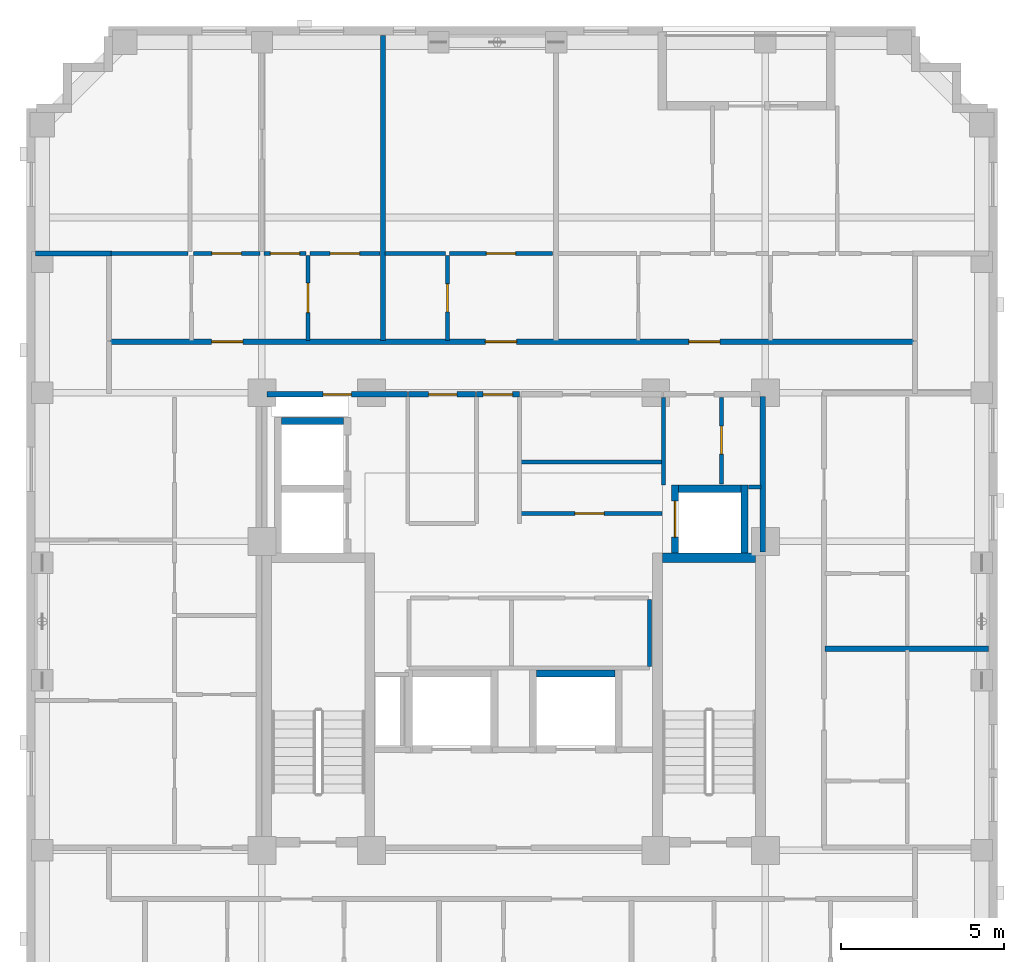
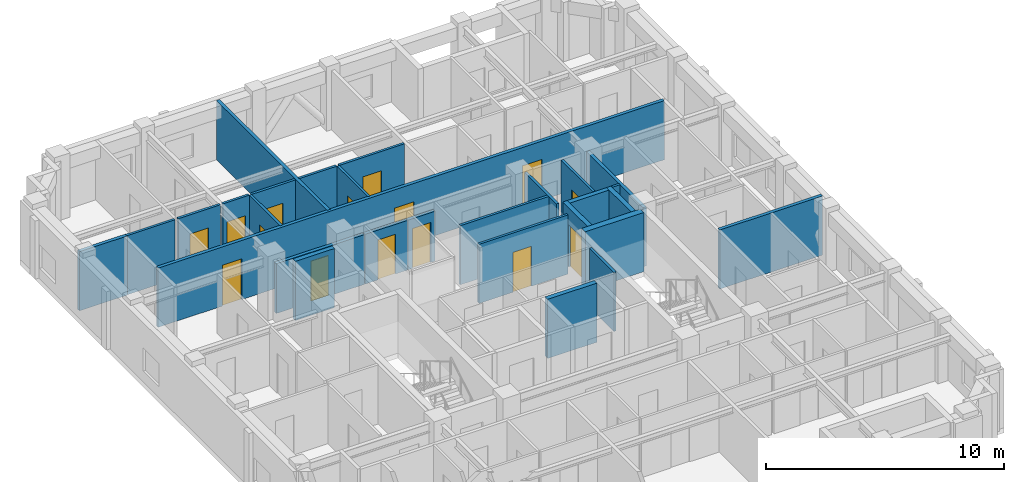
# One storey, part 5 of 11: 28 walls, 15 doors, 15 openings.
"""IFC4 building model written with IfcOpenShell, lengths in metres."""

from ifc_helpers import new_model, si_unit, derived_unit, direction, frame, frame_2d, origin, place, context, subcontext, project, spatial, rectangle, extrude, material, layer, layer_set, type_object, element, fill, save


model = new_model("IFC4")

# Units and contexts
model_context = context("Model", 3, precision=1e-05, world=origin(), true_north=direction((0.0, 1.0)))
body_context = subcontext(model_context, "Body", "Model", "MODEL_VIEW")
ifc_project = project(units=[si_unit("LENGTHUNIT", "METRE"), si_unit("AREAUNIT", "SQUARE_METRE"), si_unit("VOLUMEUNIT", "CUBIC_METRE"), si_unit("PLANEANGLEUNIT", "RADIAN"), si_unit("MASSUNIT", "GRAM", prefix="KILO"), derived_unit("THERMALTRANSMITTANCEUNIT", [(si_unit("MASSUNIT", "GRAM", prefix="KILO"), 1), (si_unit("TIMEUNIT", "SECOND"), -3), (si_unit("THERMODYNAMICTEMPERATUREUNIT", "KELVIN"), -1)])], contexts=[model_context])

# Site, building, storey
site_placement = place(None, origin())
site = spatial("IfcSite", under=ifc_project, at=site_placement, CompositionType="ELEMENT")
building_placement = place(site_placement, origin())
building = spatial("IfcBuilding", under=site, at=building_placement, Name="Korrvale Station Residences", CompositionType="ELEMENT")
storey_placement = place(building_placement, frame((0.0, 0.0, 214.0)))
storey = spatial("IfcBuildingStorey", under=building, at=storey_placement, Name="L62", CompositionType="ELEMENT", Elevation=214.0)

# Walls
ifc_material_1 = material(Name="Concrete C50/60", Category="concrete")
ifc_layer_1 = layer(ifc_material_1, 0.300048828125, Name="Concrete C50/60")
ifc_layer_set_1 = layer_set([ifc_layer_1], Name="Concrete C50/60")
wall_type_1 = type_object("IfcWallType", Name="WAL-CORE-300-C50", PredefinedType="SHEAR", material=ifc_layer_set_1)
wall_1_placement = place(storey_placement, frame((30.050048828125, 23.949951171875, 0.0), z_axis=(0.0, 0.0, 1.0), x_axis=(1.0, 0.0, 0.0)))
element("IfcWall", 1, at=wall_1_placement, inside=storey, type_object=wall_type_1, Name="L62 ST-2 Core Shear Wall North", PredefinedType="SHEAR", context=body_context, shape_type="SweptSolid", body=[
    extrude(rectangle(XDim=2.849853515625, YDim=0.300048828125, at=frame_2d((1.4248046875, 0.0))), origin(), (0.0, 0.0, 1.0), 3.0400390625),
])
ifc_material_2 = material(Name="Acoustic steel-stud gypsum board partition", Category="steel")
ifc_layer_2 = layer(ifc_material_2, 0.1201171875, Name="Acoustic steel-stud gypsum board partition")
ifc_layer_set_2 = layer_set([ifc_layer_2], Name="Acoustic steel-stud gypsum board partition")
wall_type_2 = type_object("IfcWallType", Name="WAL-PART-125", PredefinedType="PARTITIONING", material=ifc_layer_set_2)
wall_2_placement = place(storey_placement, frame((30.080078125, 26.179931640625, 0.0), z_axis=(0.0, 0.0, 1.0), x_axis=(0.0, 1.0, 0.0)))
element("IfcWall", 2, at=wall_2_placement, inside=storey, type_object=wall_type_2, Name="L62 Core Partition CW-CS-W", PredefinedType="PARTITIONING", context=body_context, shape_type="SweptSolid", body=[
    extrude(rectangle(XDim=2.68017578125, YDim=0.1201171875, at=frame_2d((1.340087890625, 0.0))), origin(), (0.0, 0.0, 1.0), 3.0400390625),
])
wall_3_placement = place(storey_placement, frame((32.679931640625, 26.1201171875, 0.0), z_axis=(0.0, 0.0, 1.0), x_axis=(1.0, 0.0, 0.0)))
element("IfcWall", 3, at=wall_3_placement, inside=storey, type_object=wall_type_2, Name="L62 Core Partition CW-CS-S", PredefinedType="PARTITIONING", context=body_context, shape_type="SweptSolid", body=[
    extrude(rectangle(XDim=0.380126953125, YDim=0.1201171875, at=frame_2d((0.18994140625, 0.0))), origin(), (0.0, 0.0, 1.0), 3.0400390625),
])

# Wall, opening, door
wall_4_placement = place(storey_placement, frame((31.860107421875, 26.199951171875, 0.0), z_axis=(0.0, 0.0, 1.0), x_axis=(0.0, 1.0, 0.0)))
wall_4 = element("IfcWall", 4, at=wall_4_placement, inside=storey, type_object=wall_type_2, Name="L62 Core Partition CW-CS-MID", PredefinedType="PARTITIONING", context=body_context, shape_type="SweptSolid", body=[
    extrude(rectangle(XDim=2.66015625, YDim=0.1201171875, at=frame_2d((1.330078125, 0.0))), origin(), (0.0, 0.0, 1.0), 3.0400390625),
])
opening_1_placement = place(wall_4_placement, frame((0.919921875, 0.0, 0.0)))
opening_1 = element("IfcOpeningElement", 5, at=opening_1_placement, cuts=wall_4, Name="Opening DB-860", PredefinedType="OPENING", context=body_context, shape_type="SweptSolid", body=[
    extrude(rectangle(XDim=0.860107421875, YDim=2.050048828125, at=frame_2d((0.43017578125, 1.02490234375))), frame((0.0, 0.070068359375, 0.0), z_axis=(0.0, -1.0, 0.0), x_axis=(1.0, 0.0, 0.0)), (0.0, 0.0, 1.0), 0.14013671875),
])
ifc_material_3 = material(Name="Moisture-resistant solid-core bathroom door", Category="timber")
door_type_1 = type_object("IfcDoorType", Name="DR-BATH-860", OperationType="NOTDEFINED", PredefinedType="DOOR", material=ifc_material_3)
door_1_placement = place(opening_1_placement, origin())
door_1 = element("IfcDoor", 6, at=door_1_placement, inside=storey, type_object=door_type_1, Name="L62 Metering Inner Door", OperationType="SINGLE_SWING_RIGHT", OverallHeight=2.050048828125, OverallWidth=0.860107421875, PredefinedType="DOOR", context=body_context, shape_type="SweptSolid", body=[
    extrude(rectangle(XDim=0.860107421875, YDim=2.050048828125, at=frame_2d((0.43017578125, 1.02490234375))), frame((0.0, 0.02490234375, 0.0), z_axis=(0.0, -1.0, 0.0), x_axis=(1.0, 0.0, 0.0)), (0.0, 0.0, 1.0), 0.050048828125),
])
fill(opening_1, door_1)

# Wall
wall_5_placement = place(storey_placement, frame((25.719970703125, 26.8798828125, 0.0), z_axis=(0.0, 0.0, 1.0), x_axis=(1.0, 0.0, 0.0)))
element("IfcWall", 7, at=wall_5_placement, inside=storey, type_object=wall_type_2, Name="L62 Core Partition CW-FPLE-H", PredefinedType="PARTITIONING", context=body_context, shape_type="SweptSolid", body=[
    extrude(rectangle(XDim=4.320068359375, YDim=0.1201171875, at=frame_2d((2.16015625, 0.0))), origin(), (0.0, 0.0, 1.0), 3.0400390625),
])

# Wall, opening, door
wall_6_placement = place(storey_placement, frame((25.719970703125, 25.300048828125, 0.0), z_axis=(0.0, 0.0, 1.0), x_axis=(1.0, 0.0, 0.0)))
wall_6 = element("IfcWall", 8, at=wall_6_placement, inside=storey, type_object=wall_type_2, Name="L62 Core Partition CW-FPLE-S", PredefinedType="PARTITIONING", context=body_context, shape_type="SweptSolid", body=[
    extrude(rectangle(XDim=4.320068359375, YDim=0.1201171875, at=frame_2d((2.16015625, 0.0))), origin(), (0.0, 0.0, 1.0), 3.0400390625),
])
opening_2_placement = place(wall_6_placement, frame((1.64990234375, 0.0, 0.0)))
opening_2 = element("IfcOpeningElement", 9, at=opening_2_placement, cuts=wall_6, Name="Opening DI-900", PredefinedType="OPENING", context=body_context, shape_type="SweptSolid", body=[
    extrude(rectangle(XDim=0.89990234375, YDim=2.050048828125, at=frame_2d((0.449951171875, 1.02490234375))), frame((0.0, 0.070068359375, 0.0), z_axis=(0.0, -1.0, 0.0), x_axis=(1.0, 0.0, 0.0)), (0.0, 0.0, 1.0), 0.14013671875),
])
ifc_material_4 = material(Name="Painted solid-core timber interior room door", Category="wood")
door_type_2 = type_object("IfcDoorType", Name="DR-INT-900", OperationType="NOTDEFINED", PredefinedType="DOOR", material=ifc_material_4)
door_2_placement = place(opening_2_placement, origin())
door_2 = element("IfcDoor", 10, at=door_2_placement, inside=storey, type_object=door_type_2, Name="L62 Housekeeping Linen Door", OperationType="SINGLE_SWING_LEFT", OverallHeight=2.050048828125, OverallWidth=0.89990234375, PredefinedType="DOOR", context=body_context, shape_type="SweptSolid", body=[
    extrude(rectangle(XDim=0.89990234375, YDim=2.050048828125, at=frame_2d((0.449951171875, 1.02490234375))), frame((0.0, 0.02490234375, 0.0), z_axis=(0.0, -1.0, 0.0), x_axis=(1.0, 0.0, 0.0)), (0.0, 0.0, 1.0), 0.050048828125),
])
fill(opening_2, door_2)

# Walls
wall_7_placement = place(storey_placement, frame((29.659912109375, 20.6201171875, 0.0), z_axis=(0.0, 0.0, 1.0), x_axis=(0.0, 1.0, 0.0)))
element("IfcWall", 11, at=wall_7_placement, inside=storey, type_object=wall_type_2, Name="L62 Core Partition CW-FPM-E", PredefinedType="PARTITIONING", context=body_context, shape_type="SweptSolid", body=[
    extrude(rectangle(XDim=2.059814453125, YDim=0.1201171875, at=frame_2d((1.02978515625, 0.0))), origin(), (0.0, 0.0, 1.0), 3.0400390625),
])
wall_8_placement = place(storey_placement, frame((13.179931640625, 33.260009765625, 0.0), z_axis=(0.0, 0.0, 1.0), x_axis=(1.0, 0.0, 0.0)))
element("IfcWall", 12, at=wall_8_placement, inside=storey, type_object=wall_type_2, Name="L62 Suite Partition U04-H03", PredefinedType="PARTITIONING", context=body_context, shape_type="SweptSolid", body=[
    extrude(rectangle(XDim=2.361083984375, YDim=0.1201171875, at=frame_2d((1.1806640625, 0.0))), origin(), (0.0, 0.0, 1.0), 3.0400390625),
])

# Wall, opening, door
wall_9_placement = place(storey_placement, frame((19.2099609375, 30.60009765625, 0.0), z_axis=(0.0, 0.0, 1.0), x_axis=(0.0, 1.0, 0.0)))
wall_9 = element("IfcWall", 13, at=wall_9_placement, inside=storey, type_object=wall_type_2, Name="L62 Suite Partition U04-V12", PredefinedType="PARTITIONING", context=body_context, shape_type="SweptSolid", body=[
    extrude(rectangle(XDim=2.599853515625, YDim=0.1201171875, at=frame_2d((1.2998046875, 0.0))), origin(), (0.0, 0.0, 1.0), 3.0400390625),
])
opening_3_placement = place(wall_9_placement, frame((0.85009765625, 0.0, 0.0)))
opening_3 = element("IfcOpeningElement", 14, at=opening_3_placement, cuts=wall_9, Name="Opening DI-900", PredefinedType="OPENING", context=body_context, shape_type="SweptSolid", body=[
    extrude(rectangle(XDim=0.89990234375, YDim=2.050048828125, at=frame_2d((0.449951171875, 1.02490234375))), frame((0.0, 0.070068359375, 0.0), z_axis=(0.0, -1.0, 0.0), x_axis=(1.0, 0.0, 0.0)), (0.0, 0.0, 1.0), 0.14013671875),
])
door_3_placement = place(opening_3_placement, origin())
door_3 = element("IfcDoor", 15, at=door_3_placement, inside=storey, type_object=door_type_2, Name="L62 Apartment 2BR L62-U04 Kitchen Door", OperationType="SINGLE_SWING_RIGHT", OverallHeight=2.050048828125, OverallWidth=0.89990234375, PredefinedType="DOOR", context=body_context, shape_type="SweptSolid", body=[
    extrude(rectangle(XDim=0.89990234375, YDim=2.050048828125, at=frame_2d((0.449951171875, 1.02490234375))), frame((0.0, 0.02490234375, 0.0), z_axis=(0.0, -1.0, 0.0), x_axis=(1.0, 0.0, 0.0)), (0.0, 0.0, 1.0), 0.050048828125),
])
fill(opening_3, door_3)

wall_10_placement = place(storey_placement, frame((15.699951171875, 33.260009765625, 0.0), z_axis=(0.0, 0.0, 1.0), x_axis=(1.0, 0.0, 0.0)))
wall_10 = element("IfcWall", 16, at=wall_10_placement, inside=storey, type_object=wall_type_2, Name="L62 Suite Partition U04-H14", PredefinedType="PARTITIONING", context=body_context, shape_type="SweptSolid", body=[
    extrude(rectangle(XDim=2.0400390625, YDim=0.1201171875, at=frame_2d((1.02001953125, 0.0))), origin(), (0.0, 0.0, 1.0), 3.0400390625),
])
opening_4_placement = place(wall_10_placement, frame((0.570068359375, 0.0, 0.0)))
opening_4 = element("IfcOpeningElement", 17, at=opening_4_placement, cuts=wall_10, Name="Opening DI-900", PredefinedType="OPENING", context=body_context, shape_type="SweptSolid", body=[
    extrude(rectangle(XDim=0.89990234375, YDim=2.050048828125, at=frame_2d((0.449951171875, 1.02490234375))), frame((0.0, 0.070068359375, 0.0), z_axis=(0.0, -1.0, 0.0), x_axis=(1.0, 0.0, 0.0)), (0.0, 0.0, 1.0), 0.14013671875),
])
door_4_placement = place(opening_4_placement, origin())
door_4 = element("IfcDoor", 18, at=door_4_placement, inside=storey, type_object=door_type_2, Name="L62 Apartment 2BR L62-U04 Kitchen Door", OperationType="SINGLE_SWING_LEFT", OverallHeight=2.050048828125, OverallWidth=0.89990234375, PredefinedType="DOOR", context=body_context, shape_type="SweptSolid", body=[
    extrude(rectangle(XDim=0.89990234375, YDim=2.050048828125, at=frame_2d((0.449951171875, 1.02490234375))), frame((0.0, 0.02490234375, 0.0), z_axis=(0.0, -1.0, 0.0), x_axis=(1.0, 0.0, 0.0)), (0.0, 0.0, 1.0), 0.050048828125),
])
fill(opening_4, door_4)

wall_11_placement = place(storey_placement, frame((17.860107421875, 33.260009765625, 0.0), z_axis=(0.0, 0.0, 1.0), x_axis=(1.0, 0.0, 0.0)))
wall_11 = element("IfcWall", 19, at=wall_11_placement, inside=storey, type_object=wall_type_2, Name="L62 Suite Partition U04-H15", PredefinedType="PARTITIONING", context=body_context, shape_type="SweptSolid", body=[
    extrude(rectangle(XDim=1.289794921875, YDim=0.1201171875, at=frame_2d((0.64501953125, 0.0))), origin(), (0.0, 0.0, 1.0), 3.0400390625),
])
opening_5_placement = place(wall_11_placement, frame((0.195068359375, 0.0, 0.0)))
opening_5 = element("IfcOpeningElement", 20, at=opening_5_placement, cuts=wall_11, Name="Opening DI-900", PredefinedType="OPENING", context=body_context, shape_type="SweptSolid", body=[
    extrude(rectangle(XDim=0.89990234375, YDim=2.050048828125, at=frame_2d((0.449951171875, 1.02490234375))), frame((0.0, 0.070068359375, 0.0), z_axis=(0.0, -1.0, 0.0), x_axis=(1.0, 0.0, 0.0)), (0.0, 0.0, 1.0), 0.14013671875),
])
door_5_placement = place(opening_5_placement, origin())
door_5 = element("IfcDoor", 21, at=door_5_placement, inside=storey, type_object=door_type_2, Name="L62 Apartment 2BR L62-U04 Kitchen Door", OperationType="SINGLE_SWING_RIGHT", OverallHeight=2.050048828125, OverallWidth=0.89990234375, PredefinedType="DOOR", context=body_context, shape_type="SweptSolid", body=[
    extrude(rectangle(XDim=0.89990234375, YDim=2.050048828125, at=frame_2d((0.449951171875, 1.02490234375))), frame((0.0, 0.02490234375, 0.0), z_axis=(0.0, -1.0, 0.0), x_axis=(1.0, 0.0, 0.0)), (0.0, 0.0, 1.0), 0.050048828125),
])
fill(opening_5, door_5)

wall_12_placement = place(storey_placement, frame((19.27001953125, 33.260009765625, 0.0), z_axis=(0.0, 0.0, 1.0), x_axis=(1.0, 0.0, 0.0)))
wall_12 = element("IfcWall", 22, at=wall_12_placement, inside=storey, type_object=wall_type_2, Name="L62 Suite Partition U04-H25", PredefinedType="PARTITIONING", context=body_context, shape_type="SweptSolid", body=[
    extrude(rectangle(XDim=2.135009765625, YDim=0.1201171875, at=frame_2d((1.0673828125, 0.0))), origin(), (0.0, 0.0, 1.0), 3.0400390625),
])
opening_6_placement = place(wall_12_placement, frame((0.616943359375, 0.0, 0.0)))
opening_6 = element("IfcOpeningElement", 23, at=opening_6_placement, cuts=wall_12, Name="Opening DI-900", PredefinedType="OPENING", context=body_context, shape_type="SweptSolid", body=[
    extrude(rectangle(XDim=0.89990234375, YDim=2.050048828125, at=frame_2d((0.449951171875, 1.02490234375))), frame((0.0, 0.070068359375, 0.0), z_axis=(0.0, -1.0, 0.0), x_axis=(1.0, 0.0, 0.0)), (0.0, 0.0, 1.0), 0.14013671875),
])
door_6_placement = place(opening_6_placement, origin())
door_6 = element("IfcDoor", 24, at=door_6_placement, inside=storey, type_object=door_type_2, Name="L62 Apartment 2BR L62-U04 Utility and Laundry Room Door", OperationType="SINGLE_SWING_LEFT", OverallHeight=2.050048828125, OverallWidth=0.89990234375, PredefinedType="DOOR", context=body_context, shape_type="SweptSolid", body=[
    extrude(rectangle(XDim=0.89990234375, YDim=2.050048828125, at=frame_2d((0.449951171875, 1.02490234375))), frame((0.0, 0.02490234375, 0.0), z_axis=(0.0, -1.0, 0.0), x_axis=(1.0, 0.0, 0.0)), (0.0, 0.0, 1.0), 0.050048828125),
])
fill(opening_6, door_6)

wall_13_placement = place(storey_placement, frame((23.47509765625, 30.60009765625, 0.0), z_axis=(0.0, 0.0, 1.0), x_axis=(0.0, 1.0, 0.0)))
wall_13 = element("IfcWall", 25, at=wall_13_placement, inside=storey, type_object=wall_type_2, Name="L62 Suite Partition U05-V01", PredefinedType="PARTITIONING", context=body_context, shape_type="SweptSolid", body=[
    extrude(rectangle(XDim=2.599853515625, YDim=0.1201171875, at=frame_2d((1.2998046875, 0.0))), origin(), (0.0, 0.0, 1.0), 3.0400390625),
])
opening_7_placement = place(wall_13_placement, frame((0.8701171875, 0.0, 0.0)))
opening_7 = element("IfcOpeningElement", 26, at=opening_7_placement, cuts=wall_13, Name="Opening DB-860", PredefinedType="OPENING", context=body_context, shape_type="SweptSolid", body=[
    extrude(rectangle(XDim=0.860107421875, YDim=2.050048828125, at=frame_2d((0.43017578125, 1.02490234375))), frame((0.0, 0.070068359375, 0.0), z_axis=(0.0, -1.0, 0.0), x_axis=(1.0, 0.0, 0.0)), (0.0, 0.0, 1.0), 0.14013671875),
])
door_7_placement = place(opening_7_placement, origin())
door_7 = element("IfcDoor", 27, at=door_7_placement, inside=storey, type_object=door_type_1, Name="L62 Studio Apartment L62-U05 Bathroom Door", OperationType="SINGLE_SWING_RIGHT", OverallHeight=2.050048828125, OverallWidth=0.860107421875, PredefinedType="DOOR", context=body_context, shape_type="SweptSolid", body=[
    extrude(rectangle(XDim=0.860107421875, YDim=2.050048828125, at=frame_2d((0.43017578125, 1.02490234375))), frame((0.0, 0.02490234375, 0.0), z_axis=(0.0, -1.0, 0.0), x_axis=(1.0, 0.0, 0.0)), (0.0, 0.0, 1.0), 0.050048828125),
])
fill(opening_7, door_7)

# Wall
wall_14_placement = place(storey_placement, frame((21.56494140625, 33.260009765625, 0.0), z_axis=(0.0, 0.0, 1.0), x_axis=(1.0, 0.0, 0.0)))
element("IfcWall", 28, at=wall_14_placement, inside=storey, type_object=wall_type_2, Name="L62 Suite Partition U05-H02", PredefinedType="PARTITIONING", context=body_context, shape_type="SweptSolid", body=[
    extrude(rectangle(XDim=1.85009765625, YDim=0.1201171875, at=frame_2d((0.925048828125, 0.0))), origin(), (0.0, 0.0, 1.0), 3.0400390625),
])

# Wall, opening, door
wall_15_placement = place(storey_placement, frame((23.534912109375, 33.260009765625, 0.0), z_axis=(0.0, 0.0, 1.0), x_axis=(1.0, 0.0, 0.0)))
wall_15 = element("IfcWall", 29, at=wall_15_placement, inside=storey, type_object=wall_type_2, Name="L62 Suite Partition U05-H12", PredefinedType="PARTITIONING", context=body_context, shape_type="SweptSolid", body=[
    extrude(rectangle(XDim=3.156982421875, YDim=0.1201171875, at=frame_2d((1.57861328125, 0.0))), origin(), (0.0, 0.0, 1.0), 3.0400390625),
])
opening_8_placement = place(wall_15_placement, frame((1.12890625, 0.0, 0.0)))
opening_8 = element("IfcOpeningElement", 30, at=opening_8_placement, cuts=wall_15, Name="Opening DI-900", PredefinedType="OPENING", context=body_context, shape_type="SweptSolid", body=[
    extrude(rectangle(XDim=0.89990234375, YDim=2.050048828125, at=frame_2d((0.449951171875, 1.02490234375))), frame((0.0, 0.070068359375, 0.0), z_axis=(0.0, -1.0, 0.0), x_axis=(1.0, 0.0, 0.0)), (0.0, 0.0, 1.0), 0.14013671875),
])
door_8_placement = place(opening_8_placement, origin())
door_8 = element("IfcDoor", 31, at=door_8_placement, inside=storey, type_object=door_type_2, Name="L62 Studio Apartment L62-U05 Kitchen Door", OperationType="SINGLE_SWING_LEFT", OverallHeight=2.050048828125, OverallWidth=0.89990234375, PredefinedType="DOOR", context=body_context, shape_type="SweptSolid", body=[
    extrude(rectangle(XDim=0.89990234375, YDim=2.050048828125, at=frame_2d((0.449951171875, 1.02490234375))), frame((0.0, 0.02490234375, 0.0), z_axis=(0.0, -1.0, 0.0), x_axis=(1.0, 0.0, 0.0)), (0.0, 0.0, 1.0), 0.050048828125),
])
fill(opening_8, door_8)

# Wall
ifc_material_5 = material(Name="Fire-rated twin-stud gypsum and mineral wool shaftwall assembly", Category="gypsum")
ifc_layer_3 = layer(ifc_material_5, 0.159912109375, Name="Fire-rated twin-stud gypsum and mineral wool shaftwall assembly")
ifc_layer_set_3 = layer_set([ifc_layer_3], Name="Fire-rated twin-stud gypsum and mineral wool shaftwall assembly")
wall_type_3 = type_object("IfcWallType", Name="WAL-PART-200", PredefinedType="PARTITIONING", material=ifc_layer_set_3)
wall_16_placement = place(storey_placement, frame((33.1201171875, 24.1201171875, 0.0), z_axis=(0.0, 0.0, 1.0), x_axis=(0.0, 1.0, 0.0)))
element("IfcWall", 32, at=wall_16_placement, inside=storey, type_object=wall_type_3, Name="L62 Core Partition CW-E-N", PredefinedType="PARTITIONING", context=body_context, shape_type="SweptSolid", body=[
    extrude(rectangle(XDim=4.759765625, YDim=0.159912109375, at=frame_2d((2.3798828125, 0.0))), origin(), (0.0, 0.0, 1.0), 3.0400390625),
])

# Wall, opening, door
wall_17_placement = place(storey_placement, frame((24.360107421875, 28.949951171875, 0.0), z_axis=(0.0, 0.0, 1.0), x_axis=(1.0, 0.0, 0.0)))
wall_17 = element("IfcWall", 33, at=wall_17_placement, inside=storey, type_object=wall_type_3, Name="L62 Core Partition CW-LLOB-N", PredefinedType="PARTITIONING", context=body_context, shape_type="SweptSolid", body=[
    extrude(rectangle(XDim=1.31982421875, YDim=0.159912109375, at=frame_2d((0.659912109375, 0.0))), origin(), (0.0, 0.0, 1.0), 2.555908203125),
])
opening_9_placement = place(wall_17_placement, frame((0.2099609375, 0.0, 0.0)))
opening_9 = element("IfcOpeningElement", 34, at=opening_9_placement, cuts=wall_17, Name="Opening DI-900", PredefinedType="OPENING", context=body_context, shape_type="SweptSolid", body=[
    extrude(rectangle(XDim=0.89990234375, YDim=2.050048828125, at=frame_2d((0.449951171875, 1.02490234375))), frame((0.0, 0.08984375, 0.0), z_axis=(0.0, -1.0, 0.0), x_axis=(1.0, 0.0, 0.0)), (0.0, 0.0, 1.0), 0.179931640625),
])
door_9_placement = place(opening_9_placement, origin())
door_9 = element("IfcDoor", 35, at=door_9_placement, inside=storey, type_object=door_type_2, Name="L62 Central Hallway North Passage Door", OperationType="SINGLE_SWING_RIGHT", OverallHeight=2.050048828125, OverallWidth=0.89990234375, PredefinedType="DOOR", context=body_context, shape_type="SweptSolid", body=[
    extrude(rectangle(XDim=0.89990234375, YDim=2.050048828125, at=frame_2d((0.449951171875, 1.02490234375))), frame((0.0, 0.02490234375, 0.0), z_axis=(0.0, -1.0, 0.0), x_axis=(1.0, 0.0, 0.0)), (0.0, 0.0, 1.0), 0.050048828125),
])
fill(opening_9, door_9)

wall_18_placement = place(storey_placement, frame((17.9599609375, 28.949951171875, 0.0), z_axis=(0.0, 0.0, 1.0), x_axis=(1.0, 0.0, 0.0)))
wall_18 = element("IfcWall", 36, at=wall_18_placement, inside=storey, type_object=wall_type_3, Name="L62 Core Partition CW-NW", PredefinedType="PARTITIONING", context=body_context, shape_type="SweptSolid", body=[
    extrude(rectangle(XDim=4.2900390625, YDim=0.159912109375, at=frame_2d((2.14501953125, 0.0))), origin(), (0.0, 0.0, 1.0), 2.555908203125),
])
opening_10_placement = place(wall_18_placement, frame((1.715087890625, 0.0, 0.0)))
opening_10 = element("IfcOpeningElement", 37, at=opening_10_placement, cuts=wall_18, Name="Opening DB-860", PredefinedType="OPENING", context=body_context, shape_type="SweptSolid", body=[
    extrude(rectangle(XDim=0.860107421875, YDim=2.050048828125, at=frame_2d((0.43017578125, 1.02490234375))), frame((0.0, 0.08984375, 0.0), z_axis=(0.0, -1.0, 0.0), x_axis=(1.0, 0.0, 0.0)), (0.0, 0.0, 1.0), 0.179931640625),
])
door_10_placement = place(opening_10_placement, origin())
door_10 = element("IfcDoor", 38, at=door_10_placement, inside=storey, type_object=door_type_1, Name="L62 Electrical Riser Access Door", OperationType="SINGLE_SWING_LEFT", OverallHeight=2.050048828125, OverallWidth=0.860107421875, PredefinedType="DOOR", context=body_context, shape_type="SweptSolid", body=[
    extrude(rectangle(XDim=0.860107421875, YDim=2.050048828125, at=frame_2d((0.43017578125, 1.02490234375))), frame((0.0, 0.02490234375, 0.0), z_axis=(0.0, -1.0, 0.0), x_axis=(1.0, 0.0, 0.0)), (0.0, 0.0, 1.0), 0.050048828125),
])
fill(opening_10, door_10)

wall_19_placement = place(storey_placement, frame((22.280029296875, 28.949951171875, 0.0), z_axis=(0.0, 0.0, 1.0), x_axis=(1.0, 0.0, 0.0)))
wall_19 = element("IfcWall", 39, at=wall_19_placement, inside=storey, type_object=wall_type_3, Name="L62 Core Partition CW-FPLW-N", PredefinedType="PARTITIONING", context=body_context, shape_type="SweptSolid", body=[
    extrude(rectangle(XDim=2.06005859375, YDim=0.159912109375, at=frame_2d((1.030029296875, 0.0))), origin(), (0.0, 0.0, 1.0), 2.555908203125),
])
opening_11_placement = place(wall_19_placement, frame((0.6201171875, 0.0, 0.0)))
opening_11 = element("IfcOpeningElement", 40, at=opening_11_placement, cuts=wall_19, Name="Opening DB-860", PredefinedType="OPENING", context=body_context, shape_type="SweptSolid", body=[
    extrude(rectangle(XDim=0.860107421875, YDim=2.050048828125, at=frame_2d((0.43017578125, 1.02490234375))), frame((0.0, 0.08984375, 0.0), z_axis=(0.0, -1.0, 0.0), x_axis=(1.0, 0.0, 0.0)), (0.0, 0.0, 1.0), 0.179931640625),
])
door_11_placement = place(opening_11_placement, origin())
door_11 = element("IfcDoor", 41, at=door_11_placement, inside=storey, type_object=door_type_1, Name="L62 Resident Parcel Room Door", OperationType="SINGLE_SWING_RIGHT", OverallHeight=2.050048828125, OverallWidth=0.860107421875, PredefinedType="DOOR", context=body_context, shape_type="SweptSolid", body=[
    extrude(rectangle(XDim=0.860107421875, YDim=2.050048828125, at=frame_2d((0.43017578125, 1.02490234375))), frame((0.0, 0.02490234375, 0.0), z_axis=(0.0, -1.0, 0.0), x_axis=(1.0, 0.0, 0.0)), (0.0, 0.0, 1.0), 0.050048828125),
])
fill(opening_11, door_11)

# Walls
wall_20_placement = place(storey_placement, frame((10.8798828125, 33.260009765625, 0.0), z_axis=(0.0, 0.0, 1.0), x_axis=(1.0, 0.0, 0.0)))
element("IfcWall", 42, at=wall_20_placement, inside=storey, type_object=wall_type_3, Name="L62 Corner Step Wall U04-L", PredefinedType="PARTITIONING", context=body_context, shape_type="SweptSolid", body=[
    extrude(rectangle(XDim=2.340087890625, YDim=0.159912109375, at=frame_2d((1.169921875, 0.0))), origin(), (0.0, 0.0, 1.0), 3.0400390625),
])
wall_21_placement = place(storey_placement, frame((21.5048828125, 30.60009765625, 0.0), z_axis=(0.0, 0.0, 1.0), x_axis=(0.0, 1.0, 0.0)))
element("IfcWall", 43, at=wall_21_placement, inside=storey, type_object=wall_type_3, Name="L62 Demising Wall U05-W", PredefinedType="PARTITIONING", context=body_context, shape_type="SweptSolid", body=[
    extrude(rectangle(XDim=9.31982421875, YDim=0.159912109375, at=frame_2d((4.659912109375, 0.0))), origin(), (0.0, 0.0, 1.0), 3.0400390625),
])
wall_22_placement = place(storey_placement, frame((35.030029296875, 21.166015625, 0.0), z_axis=(0.0, 0.0, 1.0), x_axis=(1.0, 0.0, 0.0)))
element("IfcWall", 44, at=wall_22_placement, inside=storey, type_object=wall_type_3, Name="L62 Demising Wall U08-N", PredefinedType="PARTITIONING", context=body_context, shape_type="SweptSolid", body=[
    extrude(rectangle(XDim=4.989990234375, YDim=0.159912109375, at=frame_2d((2.4951171875, 0.0))), origin(), (0.0, 0.0, 1.0), 3.0400390625),
])

# Wall, openings, doors
wall_23_placement = place(storey_placement, frame((13.14990234375, 30.56005859375, 0.0), z_axis=(0.0, 0.0, 1.0), x_axis=(1.0, 0.0, 0.0)))
wall_23 = element("IfcWall", 45, at=wall_23_placement, inside=storey, type_object=wall_type_3, Name="L62 Rated Corridor Wall N", PredefinedType="PARTITIONING", context=body_context, shape_type="SweptSolid", body=[
    extrude(rectangle(XDim=24.60009765625, YDim=0.159912109375, at=frame_2d((12.300048828125, 0.0))), origin(), (0.0, 0.0, 1.0), 3.0400390625),
])
opening_12_placement = place(wall_23_placement, frame((3.114990234375, 0.0, 0.0)))
opening_12 = element("IfcOpeningElement", 46, at=opening_12_placement, cuts=wall_23, Name="Opening UD-950", PredefinedType="OPENING", context=body_context, shape_type="SweptSolid", body=[
    extrude(rectangle(XDim=0.949951171875, YDim=2.10009765625, at=frame_2d((0.47509765625, 1.050048828125))), frame((0.0, 0.08984375, 0.0), z_axis=(0.0, -1.0, 0.0), x_axis=(1.0, 0.0, 0.0)), (0.0, 0.0, 1.0), 0.179931640625),
])
opening_13_placement = place(wall_23_placement, frame((11.489013671875, 0.0, 0.0)))
opening_13 = element("IfcOpeningElement", 47, at=opening_13_placement, cuts=wall_23, Name="Opening UD-950", PredefinedType="OPENING", context=body_context, shape_type="SweptSolid", body=[
    extrude(rectangle(XDim=0.949951171875, YDim=2.10009765625, at=frame_2d((0.47509765625, 1.050048828125))), frame((0.0, 0.08984375, 0.0), z_axis=(0.0, -1.0, 0.0), x_axis=(1.0, 0.0, 0.0)), (0.0, 0.0, 1.0), 0.179931640625),
])
opening_14_placement = place(wall_23_placement, frame((17.70703125, 0.0, 0.0)))
opening_14 = element("IfcOpeningElement", 48, at=opening_14_placement, cuts=wall_23, Name="Opening UD-950", PredefinedType="OPENING", context=body_context, shape_type="SweptSolid", body=[
    extrude(rectangle(XDim=0.949951171875, YDim=2.10009765625, at=frame_2d((0.47509765625, 1.050048828125))), frame((0.0, 0.08984375, 0.0), z_axis=(0.0, -1.0, 0.0), x_axis=(1.0, 0.0, 0.0)), (0.0, 0.0, 1.0), 0.179931640625),
])
ifc_material_6 = material(Name="Solid-core acoustic oak apartment entrance door", Category="timber")
door_type_3 = type_object("IfcDoorType", Name="DR-UNIT-950", OperationType="NOTDEFINED", PredefinedType="DOOR", material=ifc_material_6)
door_12_placement = place(opening_12_placement, origin())
door_12 = element("IfcDoor", 49, at=door_12_placement, inside=storey, type_object=door_type_3, Name="L62 Apartment L62-U04 Entrance Door", OperationType="SINGLE_SWING_RIGHT", OverallHeight=2.10009765625, OverallWidth=0.949951171875, PredefinedType="DOOR", context=body_context, shape_type="SweptSolid", body=[
    extrude(rectangle(XDim=0.949951171875, YDim=2.10009765625, at=frame_2d((0.47509765625, 1.050048828125))), frame((0.0, 0.02490234375, 0.0), z_axis=(0.0, -1.0, 0.0), x_axis=(1.0, 0.0, 0.0)), (0.0, 0.0, 1.0), 0.050048828125),
])
fill(opening_12, door_12)
door_13_placement = place(opening_13_placement, origin())
door_13 = element("IfcDoor", 50, at=door_13_placement, inside=storey, type_object=door_type_3, Name="L62 Apartment L62-U05 Entrance Door", OperationType="SINGLE_SWING_LEFT", OverallHeight=2.10009765625, OverallWidth=0.949951171875, PredefinedType="DOOR", context=body_context, shape_type="SweptSolid", body=[
    extrude(rectangle(XDim=0.949951171875, YDim=2.10009765625, at=frame_2d((0.47509765625, 1.050048828125))), frame((0.0, 0.02490234375, 0.0), z_axis=(0.0, -1.0, 0.0), x_axis=(1.0, 0.0, 0.0)), (0.0, 0.0, 1.0), 0.050048828125),
])
fill(opening_13, door_13)
door_14_placement = place(opening_14_placement, origin())
door_14 = element("IfcDoor", 51, at=door_14_placement, inside=storey, type_object=door_type_3, Name="L62 Apartment L62-U06 Entrance Door", OperationType="SINGLE_SWING_RIGHT", OverallHeight=2.10009765625, OverallWidth=0.949951171875, PredefinedType="DOOR", context=body_context, shape_type="SweptSolid", body=[
    extrude(rectangle(XDim=0.949951171875, YDim=2.10009765625, at=frame_2d((0.47509765625, 1.050048828125))), frame((0.0, 0.02490234375, 0.0), z_axis=(0.0, -1.0, 0.0), x_axis=(1.0, 0.0, 0.0)), (0.0, 0.0, 1.0), 0.050048828125),
])
fill(opening_14, door_14)

# Walls
ifc_layer_4 = layer(ifc_material_1, 0.219970703125, Name="Concrete C50/60")
ifc_layer_set_4 = layer_set([ifc_layer_4], Name="Concrete C50/60")
wall_type_4 = type_object("IfcWallType", Name="WAL-SHAFT-220-C50", PredefinedType="SHEAR", material=ifc_layer_set_4)
wall_24_placement = place(storey_placement, frame((18.39990234375, 28.1298828125, 0.0), z_axis=(0.0, 0.0, 1.0), x_axis=(1.0, 0.0, 0.0)))
element("IfcWall", 52, at=wall_24_placement, inside=storey, type_object=wall_type_4, Name="L62 Elevator PH-2 Hoistway Wall North", PredefinedType="SHEAR", context=body_context, shape_type="SweptSolid", body=[
    extrude(rectangle(XDim=1.900146484375, YDim=0.219970703125, at=frame_2d((0.9501953125, 0.0))), origin(), (0.0, 0.0, 1.0), 3.0400390625),
])
wall_25_placement = place(storey_placement, frame((30.550048828125, 26.06005859375, 0.0), z_axis=(0.0, 0.0, 1.0), x_axis=(1.0, 0.0, 0.0)))
element("IfcWall", 53, at=wall_25_placement, inside=storey, type_object=wall_type_4, Name="L62 Elevator PH-3 Hoistway Wall North", PredefinedType="SHEAR", context=body_context, shape_type="SweptSolid", body=[
    extrude(rectangle(XDim=1.89990234375, YDim=0.219970703125, at=frame_2d((0.949951171875, 0.0))), origin(), (0.0, 0.0, 1.0), 3.0400390625),
])

# Wall, opening, door
wall_26_placement = place(storey_placement, frame((30.43994140625, 24.10009765625, 0.0), z_axis=(0.0, 0.0, 1.0), x_axis=(0.0, 1.0, 0.0)))
wall_26 = element("IfcWall", 54, at=wall_26_placement, inside=storey, type_object=wall_type_4, Name="L62 Elevator PH-3 Hoistway Wall West", PredefinedType="SHEAR", context=body_context, shape_type="SweptSolid", body=[
    extrude(rectangle(XDim=2.06982421875, YDim=0.219970703125, at=frame_2d((1.034912109375, 0.0))), origin(), (0.0, 0.0, 1.0), 3.0400390625),
])
opening_15_placement = place(wall_26_placement, frame((0.485107421875, 0.0, 0.0)))
opening_15 = element("IfcOpeningElement", 55, at=opening_15_placement, cuts=wall_26, Name="Opening LD-1100", PredefinedType="OPENING", context=body_context, shape_type="SweptSolid", body=[
    extrude(rectangle(XDim=1.10009765625, YDim=2.14990234375, at=frame_2d((0.550048828125, 1.074951171875))), frame((0.0, 0.1201171875, 0.0), z_axis=(0.0, -1.0, 0.0), x_axis=(1.0, 0.0, 0.0)), (0.0, 0.0, 1.0), 0.239990234375),
])
ifc_material_7 = material(Name="Brushed stainless-steel elevator landing sliding door", Category="steel")
door_type_4 = type_object("IfcDoorType", Name="DR-LIFT-1100", OperationType="SLIDING_TO_LEFT", PredefinedType="DOOR", material=ifc_material_7)
door_15_placement = place(opening_15_placement, origin())
door_15 = element("IfcDoor", 56, at=door_15_placement, inside=storey, type_object=door_type_4, Name="L62 Elevator PH-3 Sliding Landing Door", OperationType="SLIDING_TO_LEFT", OverallHeight=2.14990234375, OverallWidth=1.10009765625, PredefinedType="DOOR", context=body_context, shape_type="SweptSolid", body=[
    extrude(rectangle(XDim=1.10009765625, YDim=2.14990234375, at=frame_2d((0.550048828125, 1.074951171875))), frame((0.0, 0.02490234375, 0.0), z_axis=(0.0, -1.0, 0.0), x_axis=(1.0, 0.0, 0.0)), (0.0, 0.0, 1.0), 0.050048828125),
])
fill(opening_15, door_15)

# Walls
wall_27_placement = place(storey_placement, frame((32.56005859375, 24.10009765625, 0.0), z_axis=(0.0, 0.0, 1.0), x_axis=(0.0, 1.0, 0.0)))
element("IfcWall", 57, at=wall_27_placement, inside=storey, type_object=wall_type_4, Name="L62 Elevator PH-3 Hoistway Wall East", PredefinedType="SHEAR", context=body_context, shape_type="SweptSolid", body=[
    extrude(rectangle(XDim=2.06982421875, YDim=0.219970703125, at=frame_2d((1.034912109375, 0.0))), origin(), (0.0, 0.0, 1.0), 3.0400390625),
])
wall_28_placement = place(storey_placement, frame((26.199951171875, 20.409912109375, 0.0), z_axis=(0.0, 0.0, 1.0), x_axis=(1.0, 0.0, 0.0)))
element("IfcWall", 58, at=wall_28_placement, inside=storey, type_object=wall_type_4, Name="L62 Elevator FFL-2 Hoistway Wall North", PredefinedType="SHEAR", context=body_context, shape_type="SweptSolid", body=[
    extrude(rectangle(XDim=2.400146484375, YDim=0.219970703125, at=frame_2d((1.2001953125, 0.0))), origin(), (0.0, 0.0, 1.0), 3.0400390625),
])

save(model, "model.ifc")
